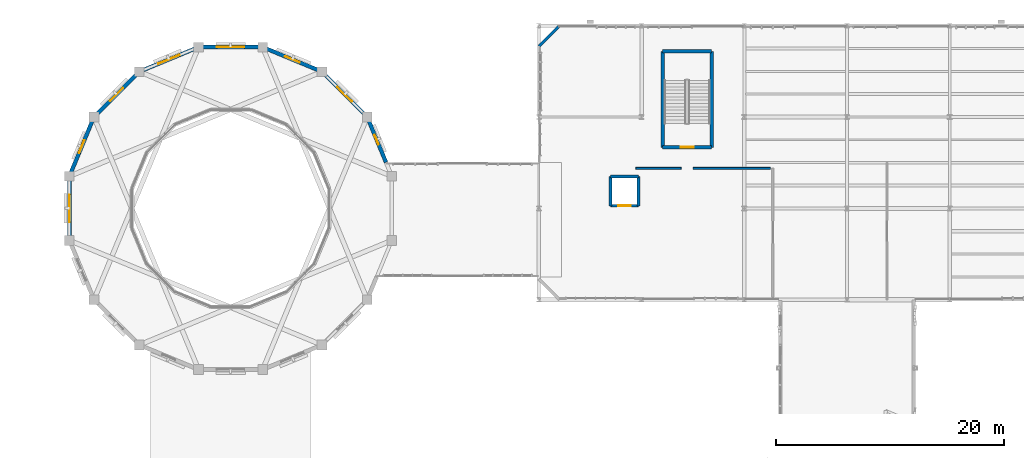
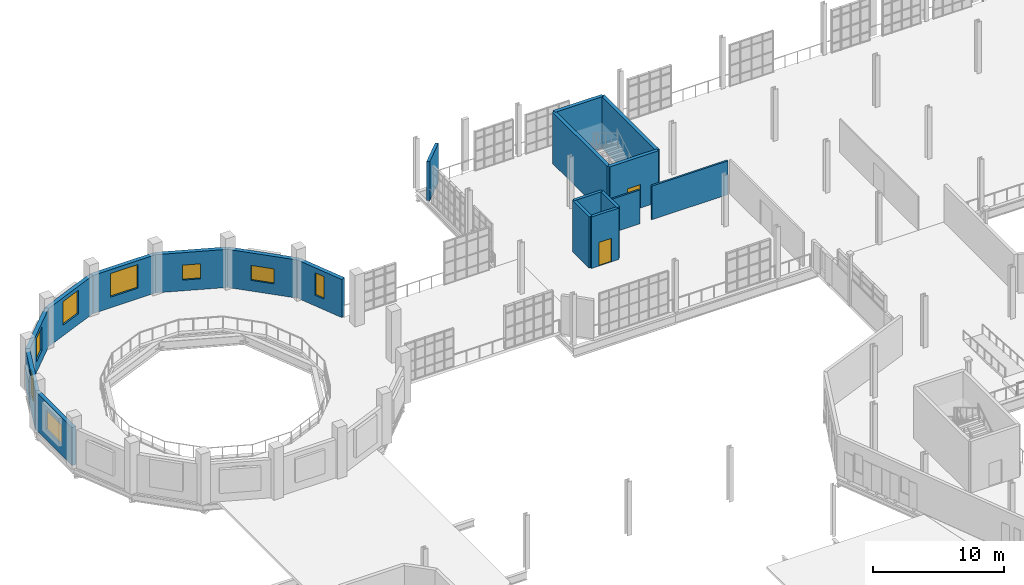
# One storey, part 102 of 122: 19 walls, 8 windows, 2 doors, 10 openings.
"""IFC4 building model written with IfcOpenShell, lengths in metres."""

from ifc_helpers import new_model, si_unit, direction, frame, frame_2d, origin, place, context, subcontext, project, spatial, rectangle, extrude, material, layer, layer_set, type_object, element, fill, save


model = new_model("IFC4")

# Units and contexts
model_context = context("Model", 3, precision=1e-05, world=origin(), true_north=direction((0.0, 1.0)))
body_context = subcontext(model_context, "Body", "Model", "MODEL_VIEW")
ifc_project = project(units=[si_unit("LENGTHUNIT", "METRE"), si_unit("AREAUNIT", "SQUARE_METRE"), si_unit("VOLUMEUNIT", "CUBIC_METRE"), si_unit("PLANEANGLEUNIT", "RADIAN"), si_unit("MASSUNIT", "GRAM", prefix="KILO"), si_unit("THERMODYNAMICTEMPERATUREUNIT", "KELVIN"), si_unit("POWERUNIT", "WATT")], contexts=[model_context])

# Site, building, storey
site_placement = place(None, origin())
site = spatial("IfcSite", under=ifc_project, at=site_placement, CompositionType="ELEMENT")
building_placement = place(site_placement, origin())
building = spatial("IfcBuilding", under=site, at=building_placement, Name="Zelmaris Science Centre", CompositionType="ELEMENT")
storey_placement = place(building_placement, frame((0.0, 0.0, 10.800048828125)))
storey = spatial("IfcBuildingStorey", under=building, at=storey_placement, Name="L02", CompositionType="ELEMENT", Elevation=10.800048828125)

# Wall, opening, door
ifc_material_1 = material(Name="Concrete C40/50", Category="concrete")
ifc_layer_1 = layer(ifc_material_1, 0.300048828125, Name="Concrete C40/50")
ifc_layer_set_1 = layer_set([ifc_layer_1], Name="Concrete C40/50")
wall_type_1 = type_object("IfcWallType", Name="Core Shear Wall CW-S1 300mm", PredefinedType="SOLIDWALL", material=ifc_layer_set_1)
wall_1_placement = place(storey_placement, frame((69.14990234375, 77.35009765625, 0.0), z_axis=(0.0, 0.0, 1.0), x_axis=(-1.0, 0.0, 0.0)))
wall_1 = element("IfcWall", 1, at=wall_1_placement, inside=storey, type_object=wall_type_1, Name="L02 ST-3 core shear wall near", PredefinedType="SOLIDWALL", context=body_context, shape_type="SweptSolid", body=[
    extrude(rectangle(XDim=4.2998046875, YDim=0.300048828125, at=frame_2d((2.14990234375, 0.0))), origin(), (0.0, 0.0, 1.0), 4.800048828125),
])
opening_1_placement = place(wall_1_placement, frame((1.574951171875, 0.0, 0.0)))
opening_1 = element("IfcOpeningElement", 2, at=opening_1_placement, cuts=wall_1, Name="Opening D-FD90", PredefinedType="OPENING", context=body_context, shape_type="SweptSolid", body=[
    extrude(rectangle(XDim=1.14990234375, YDim=2.199951171875, at=frame_2d((0.574951171875, 1.10009765625))), frame((0.0, 0.159912109375, 0.0), z_axis=(0.0, -1.0, 0.0), x_axis=(1.0, 0.0, 0.0)), (0.0, 0.0, 1.0), 0.320068359375),
])
ifc_material_2 = material(Name="Steel ASTM A36", Category="steel")
door_type_1 = type_object("IfcDoorType", Name="Interior Door D-FD90 1150x2200", OperationType="NOTDEFINED", PredefinedType="DOOR", material=ifc_material_2)
door_1_placement = place(opening_1_placement, origin())
door_1 = element("IfcDoor", 3, at=door_1_placement, inside=storey, type_object=door_type_1, Name="L02 ST-3 exit stair fire door", OperationType="SINGLE_SWING_RIGHT", OverallHeight=2.199951171875, OverallWidth=1.14990234375, PredefinedType="DOOR", context=body_context, shape_type="SweptSolid", body=[
    extrude(rectangle(XDim=1.14990234375, YDim=2.199951171875, at=frame_2d((0.574951171875, 1.10009765625))), frame((0.0, 0.02490234375, 0.0), z_axis=(0.0, -1.0, 0.0), x_axis=(1.0, 0.0, 0.0)), (0.0, 0.0, 1.0), 0.050048828125),
])
fill(opening_1, door_1)

# Walls
wall_2_placement = place(storey_placement, frame((69.14990234375, 77.35009765625, 0.0), z_axis=(0.0, 0.0, 1.0), x_axis=(0.0, 1.0, 0.0)))
element("IfcWall", 4, at=wall_2_placement, inside=storey, type_object=wall_type_1, Name="L02 ST-3 core shear wall east", PredefinedType="SOLIDWALL", context=body_context, shape_type="SweptSolid", body=[
    extrude(rectangle(XDim=8.39990234375, YDim=0.300048828125, at=frame_2d((4.199951171875, 0.0))), origin(), (0.0, 0.0, 1.0), 4.800048828125),
])
wall_3_placement = place(storey_placement, frame((69.14990234375, 85.75, 0.0), z_axis=(0.0, 0.0, 1.0), x_axis=(-1.0, 0.0, 0.0)))
element("IfcWall", 5, at=wall_3_placement, inside=storey, type_object=wall_type_1, Name="L02 ST-3 core shear wall far", PredefinedType="SOLIDWALL", context=body_context, shape_type="SweptSolid", body=[
    extrude(rectangle(XDim=4.2998046875, YDim=0.300048828125, at=frame_2d((2.14990234375, 0.0))), origin(), (0.0, 0.0, 1.0), 4.800048828125),
])
wall_4_placement = place(storey_placement, frame((64.85009765625, 77.35009765625, 0.0), z_axis=(0.0, 0.0, 1.0), x_axis=(0.0, 1.0, 0.0)))
element("IfcWall", 6, at=wall_4_placement, inside=storey, type_object=wall_type_1, Name="L02 ST-3 core shear wall west", PredefinedType="SOLIDWALL", context=body_context, shape_type="SweptSolid", body=[
    extrude(rectangle(XDim=8.39990234375, YDim=0.300048828125, at=frame_2d((4.199951171875, 0.0))), origin(), (0.0, 0.0, 1.0), 4.800048828125),
])

# Wall, opening, door
ifc_layer_2 = layer(ifc_material_1, 0.25, Name="Concrete C40/50")
ifc_layer_set_2 = layer_set([ifc_layer_2], Name="Concrete C40/50")
wall_type_2 = type_object("IfcWallType", Name="Core Shear Wall CW-S2 250mm", PredefinedType="SOLIDWALL", material=ifc_layer_set_2)
wall_5_placement = place(storey_placement, frame((60.27490234375, 72.22509765625, 0.0), z_axis=(0.0, 0.0, 1.0), x_axis=(1.0, 0.0, 0.0)))
wall_5 = element("IfcWall", 7, at=wall_5_placement, inside=storey, type_object=wall_type_2, Name="L02 LP-03 lift shaft wall -y", PredefinedType="SOLIDWALL", context=body_context, shape_type="SweptSolid", body=[
    extrude(rectangle(XDim=2.4501953125, YDim=0.25, at=frame_2d((1.22509765625, 0.0))), origin(), (0.0, 0.0, 1.0), 4.800048828125),
])
opening_2_placement = place(wall_5_placement, frame((0.675048828125, 0.0, 0.0)))
opening_2 = element("IfcOpeningElement", 8, at=opening_2_placement, cuts=wall_5, Name="Opening LD-01", PredefinedType="OPENING", context=body_context, shape_type="SweptSolid", body=[
    extrude(rectangle(XDim=1.10009765625, YDim=2.199951171875, at=frame_2d((0.550048828125, 1.10009765625))), frame((0.0, 0.135009765625, 0.0), z_axis=(0.0, -1.0, 0.0), x_axis=(1.0, 0.0, 0.0)), (0.0, 0.0, 1.0), 0.27001953125),
])
door_type_2 = type_object("IfcDoorType", Name="Interior Door LD-01 1100x2200", OperationType="SLIDING_TO_LEFT", PredefinedType="DOOR", material=ifc_material_2)
door_2_placement = place(opening_2_placement, origin())
door_2 = element("IfcDoor", 9, at=door_2_placement, inside=storey, type_object=door_type_2, Name="Landing door LD-LP-03-L02", OperationType="SLIDING_TO_LEFT", OverallHeight=2.199951171875, OverallWidth=1.10009765625, PredefinedType="DOOR", context=body_context, shape_type="SweptSolid", body=[
    extrude(rectangle(XDim=1.10009765625, YDim=2.199951171875, at=frame_2d((0.550048828125, 1.10009765625))), frame((0.0, 0.02490234375, 0.0), z_axis=(0.0, -1.0, 0.0), x_axis=(1.0, 0.0, 0.0)), (0.0, 0.0, 1.0), 0.050048828125),
])
fill(opening_2, door_2)

# Walls
wall_6_placement = place(storey_placement, frame((62.72509765625, 72.22509765625, 0.0), z_axis=(0.0, 0.0, 1.0), x_axis=(0.0, 1.0, 0.0)))
element("IfcWall", 10, at=wall_6_placement, inside=storey, type_object=wall_type_2, Name="L02 LP-03 lift shaft wall +x", PredefinedType="SOLIDWALL", context=body_context, shape_type="SweptSolid", body=[
    extrude(rectangle(XDim=2.5498046875, YDim=0.25, at=frame_2d((1.27490234375, 0.0))), origin(), (0.0, 0.0, 1.0), 4.800048828125),
])
wall_7_placement = place(storey_placement, frame((62.72509765625, 74.77490234375, 0.0), z_axis=(0.0, 0.0, 1.0), x_axis=(-1.0, 0.0, 0.0)))
element("IfcWall", 11, at=wall_7_placement, inside=storey, type_object=wall_type_2, Name="L02 LP-03 lift shaft wall +y", PredefinedType="SOLIDWALL", context=body_context, shape_type="SweptSolid", body=[
    extrude(rectangle(XDim=2.4501953125, YDim=0.25, at=frame_2d((1.22509765625, 0.0))), origin(), (0.0, 0.0, 1.0), 4.800048828125),
])
wall_8_placement = place(storey_placement, frame((60.27490234375, 74.77490234375, 0.0), z_axis=(0.0, 0.0, 1.0), x_axis=(0.0, -1.0, 0.0)))
element("IfcWall", 12, at=wall_8_placement, inside=storey, type_object=wall_type_2, Name="L02 LP-03 lift shaft wall -x", PredefinedType="SOLIDWALL", context=body_context, shape_type="SweptSolid", body=[
    extrude(rectangle(XDim=2.5498046875, YDim=0.25, at=frame_2d((1.27490234375, 0.0))), origin(), (0.0, 0.0, 1.0), 4.800048828125),
])

# Wall, opening, window
ifc_material_3 = material(Name="Yucatan limestone ashlar masonry", Category="masonry")
ifc_layer_3 = layer(ifc_material_3, 0.340087890625, Name="Yucatan limestone ashlar masonry")
ifc_layer_set_3 = layer_set([ifc_layer_3], Name="Yucatan limestone ashlar masonry")
wall_type_3 = type_object("IfcWallType", Name="Exterior Wall EW-02 340mm", PredefinedType="SOLIDWALL", material=ifc_layer_set_3)
wall_9_placement = place(storey_placement, frame((12.876708984375, 69.190673828125, 0.0), z_axis=(0.0, 0.0, 1.0), x_axis=(0.0, 1.0, 0.0)))
wall_9 = element("IfcWall", 13, at=wall_9_placement, inside=storey, type_object=wall_type_3, Name="L02 Exterior wall 76", PredefinedType="SOLIDWALL", context=body_context, shape_type="SweptSolid", body=[
    extrude(rectangle(XDim=5.61865234375, YDim=0.340087890625, at=frame_2d((2.809326171875, 0.0))), origin(), (0.0, 0.0, 1.0), 3.56494140625),
])
opening_3_placement = place(wall_9_placement, frame((1.609375, 0.0, 1.0)))
opening_3 = element("IfcOpeningElement", 14, at=opening_3_placement, cuts=wall_9, Name="Opening W-05", PredefinedType="OPENING", context=body_context, shape_type="SweptSolid", body=[
    extrude(rectangle(XDim=2.39990234375, YDim=1.800048828125, at=frame_2d((1.199951171875, 0.89990234375))), frame((0.0, 0.179931640625, 0.0), z_axis=(0.0, -1.0, 0.0), x_axis=(1.0, 0.0, 0.0)), (0.0, 0.0, 1.0), 0.360107421875),
])
ifc_material_4 = material(Name="Laminated hurricane-rated low-E insulated glazing", Category="glass")
window_type_1 = type_object("IfcWindowType", Name="Window W-05 2400x1800", PartitioningType="SINGLE_PANEL", PredefinedType="WINDOW", material=ifc_material_4)
window_1_placement = place(opening_3_placement, origin())
window_1 = element("IfcWindow", 15, at=window_1_placement, inside=storey, type_object=window_type_1, Name="L02 Facade window 29", OverallHeight=1.800048828125, OverallWidth=2.39990234375, PartitioningType="SINGLE_PANEL", PredefinedType="WINDOW", context=body_context, shape_type="SweptSolid", body=[
    extrude(rectangle(XDim=2.39990234375, YDim=1.800048828125, at=frame_2d((1.199951171875, 0.89990234375))), frame((0.0, 0.030029296875, 0.0), z_axis=(0.0, -1.0, 0.0), x_axis=(1.0, 0.0, 0.0)), (0.0, 0.0, 1.0), 0.06005859375),
])
fill(opening_3, window_1)

wall_10_placement = place(storey_placement, frame((12.876708984375, 74.809326171875, 0.0), z_axis=(0.0, 0.0, 1.0), x_axis=(0.38268310735, 0.923879667137, 0.0)))
wall_10 = element("IfcWall", 16, at=wall_10_placement, inside=storey, type_object=wall_type_3, Name="L02 Exterior wall 77", PredefinedType="SOLIDWALL", context=body_context, shape_type="SweptSolid", body=[
    extrude(rectangle(XDim=5.61865234375, YDim=0.340087890625, at=frame_2d((2.809326171875, 0.0))), origin(), (0.0, 0.0, 1.0), 3.56494140625),
])
opening_4_placement = place(wall_10_placement, frame((2.209228515625, 0.0, 1.0)))
opening_4 = element("IfcOpeningElement", 17, at=opening_4_placement, cuts=wall_10, Name="Opening W-06", PredefinedType="OPENING", context=body_context, shape_type="SweptSolid", body=[
    extrude(rectangle(XDim=1.199951171875, YDim=2.199951171875, at=frame_2d((0.60009765625, 1.10009765625))), frame((0.0, 0.179931640625, 0.0), z_axis=(0.0, -1.0, 0.0), x_axis=(1.0, 0.0, 0.0)), (0.0, 0.0, 1.0), 0.360107421875),
])
window_type_2 = type_object("IfcWindowType", Name="Window W-06 1200x2200", PartitioningType="SINGLE_PANEL", PredefinedType="WINDOW", material=ifc_material_4)
window_2_placement = place(opening_4_placement, origin())
window_2 = element("IfcWindow", 18, at=window_2_placement, inside=storey, type_object=window_type_2, Name="L02 Facade window 30", OverallHeight=2.199951171875, OverallWidth=1.199951171875, PartitioningType="SINGLE_PANEL", PredefinedType="WINDOW", context=body_context, shape_type="SweptSolid", body=[
    extrude(rectangle(XDim=1.199951171875, YDim=2.199951171875, at=frame_2d((0.60009765625, 1.10009765625))), frame((0.0, 0.030029296875, 0.0), z_axis=(0.0, -1.0, 0.0), x_axis=(1.0, 0.0, 0.0)), (0.0, 0.0, 1.0), 0.06005859375),
])
fill(opening_4, window_2)

wall_11_placement = place(storey_placement, frame((15.02685546875, 80.000244140625, 0.0), z_axis=(0.0, 0.0, 1.0), x_axis=(0.707106781187, 0.707106781187, 0.0)))
wall_11 = element("IfcWall", 19, at=wall_11_placement, inside=storey, type_object=wall_type_3, Name="L02 Exterior wall 78", PredefinedType="SOLIDWALL", context=body_context, shape_type="SweptSolid", body=[
    extrude(rectangle(XDim=5.618408203125, YDim=0.340087890625, at=frame_2d((2.80908203125, 0.0))), origin(), (0.0, 0.0, 1.0), 3.56494140625),
])
opening_5_placement = place(wall_11_placement, frame((2.00927734375, 0.0, 1.0)))
opening_5 = element("IfcOpeningElement", 20, at=opening_5_placement, cuts=wall_11, Name="Opening W-07", PredefinedType="OPENING", context=body_context, shape_type="SweptSolid", body=[
    extrude(rectangle(XDim=1.60009765625, YDim=2.199951171875, at=frame_2d((0.800048828125, 1.10009765625))), frame((0.0, 0.179931640625, 0.0), z_axis=(0.0, -1.0, 0.0), x_axis=(1.0, 0.0, 0.0)), (0.0, 0.0, 1.0), 0.360107421875),
])
window_type_3 = type_object("IfcWindowType", Name="Window W-07 1600x2200", PartitioningType="SINGLE_PANEL", PredefinedType="WINDOW", material=ifc_material_4)
window_3_placement = place(opening_5_placement, origin())
window_3 = element("IfcWindow", 21, at=window_3_placement, inside=storey, type_object=window_type_3, Name="L02 Facade window 31", OverallHeight=2.199951171875, OverallWidth=1.60009765625, PartitioningType="SINGLE_PANEL", PredefinedType="WINDOW", context=body_context, shape_type="SweptSolid", body=[
    extrude(rectangle(XDim=1.60009765625, YDim=2.199951171875, at=frame_2d((0.800048828125, 1.10009765625))), frame((0.0, 0.030029296875, 0.0), z_axis=(0.0, -1.0, 0.0), x_axis=(1.0, 0.0, 0.0)), (0.0, 0.0, 1.0), 0.06005859375),
])
fill(opening_5, window_3)

wall_12_placement = place(storey_placement, frame((18.999755859375, 83.97314453125, 0.0), z_axis=(0.0, 0.0, 1.0), x_axis=(0.923879667137, 0.38268310735, 0.0)))
wall_12 = element("IfcWall", 22, at=wall_12_placement, inside=storey, type_object=wall_type_3, Name="L02 Exterior wall 79", PredefinedType="SOLIDWALL", context=body_context, shape_type="SweptSolid", body=[
    extrude(rectangle(XDim=5.61865234375, YDim=0.340087890625, at=frame_2d((2.809326171875, 0.0))), origin(), (0.0, 0.0, 1.0), 3.56494140625),
])
opening_6_placement = place(wall_12_placement, frame((1.809326171875, 0.0, 1.0)))
opening_6 = element("IfcOpeningElement", 23, at=opening_6_placement, cuts=wall_12, Name="Opening W-08", PredefinedType="OPENING", context=body_context, shape_type="SweptSolid", body=[
    extrude(rectangle(XDim=2.0, YDim=2.199951171875, at=frame_2d((1.0, 1.10009765625))), frame((0.0, 0.179931640625, 0.0), z_axis=(0.0, -1.0, 0.0), x_axis=(1.0, 0.0, 0.0)), (0.0, 0.0, 1.0), 0.360107421875),
])
window_type_4 = type_object("IfcWindowType", Name="Window W-08 2000x2200", PartitioningType="SINGLE_PANEL", PredefinedType="WINDOW", material=ifc_material_4)
window_4_placement = place(opening_6_placement, origin())
window_4 = element("IfcWindow", 24, at=window_4_placement, inside=storey, type_object=window_type_4, Name="L02 Facade window 32", OverallHeight=2.199951171875, OverallWidth=2.0, PartitioningType="SINGLE_PANEL", PredefinedType="WINDOW", context=body_context, shape_type="SweptSolid", body=[
    extrude(rectangle(XDim=2.0, YDim=2.199951171875, at=frame_2d((1.0, 1.10009765625))), frame((0.0, 0.030029296875, 0.0), z_axis=(0.0, -1.0, 0.0), x_axis=(1.0, 0.0, 0.0)), (0.0, 0.0, 1.0), 0.06005859375),
])
fill(opening_6, window_4)

wall_13_placement = place(storey_placement, frame((24.190673828125, 86.123291015625, 0.0), z_axis=(0.0, 0.0, 1.0), x_axis=(1.0, 0.0, 0.0)))
wall_13 = element("IfcWall", 25, at=wall_13_placement, inside=storey, type_object=wall_type_3, Name="L02 Exterior wall 80", PredefinedType="SOLIDWALL", context=body_context, shape_type="SweptSolid", body=[
    extrude(rectangle(XDim=5.61865234375, YDim=0.340087890625, at=frame_2d((2.809326171875, 0.0))), origin(), (0.0, 0.0, 1.0), 3.56494140625),
])
opening_7_placement = place(wall_13_placement, frame((1.609375, 0.0, 1.0)))
opening_7 = element("IfcOpeningElement", 26, at=opening_7_placement, cuts=wall_13, Name="Opening W-09", PredefinedType="OPENING", context=body_context, shape_type="SweptSolid", body=[
    extrude(rectangle(XDim=2.39990234375, YDim=2.199951171875, at=frame_2d((1.199951171875, 1.10009765625))), frame((0.0, 0.179931640625, 0.0), z_axis=(0.0, -1.0, 0.0), x_axis=(1.0, 0.0, 0.0)), (0.0, 0.0, 1.0), 0.360107421875),
])
window_type_5 = type_object("IfcWindowType", Name="Window W-09 2400x2200", PartitioningType="SINGLE_PANEL", PredefinedType="WINDOW", material=ifc_material_4)
window_5_placement = place(opening_7_placement, origin())
window_5 = element("IfcWindow", 27, at=window_5_placement, inside=storey, type_object=window_type_5, Name="L02 Facade window 33", OverallHeight=2.199951171875, OverallWidth=2.39990234375, PartitioningType="SINGLE_PANEL", PredefinedType="WINDOW", context=body_context, shape_type="SweptSolid", body=[
    extrude(rectangle(XDim=2.39990234375, YDim=2.199951171875, at=frame_2d((1.199951171875, 1.10009765625))), frame((0.0, 0.030029296875, 0.0), z_axis=(0.0, -1.0, 0.0), x_axis=(1.0, 0.0, 0.0)), (0.0, 0.0, 1.0), 0.06005859375),
])
fill(opening_7, window_5)

wall_14_placement = place(storey_placement, frame((29.809326171875, 86.123291015625, 0.0), z_axis=(0.0, 0.0, 1.0), x_axis=(0.923879667137, -0.38268310735, 0.0)))
wall_14 = element("IfcWall", 28, at=wall_14_placement, inside=storey, type_object=wall_type_3, Name="L02 Exterior wall 81", PredefinedType="SOLIDWALL", context=body_context, shape_type="SweptSolid", body=[
    extrude(rectangle(XDim=5.61865234375, YDim=0.340087890625, at=frame_2d((2.809326171875, 0.0))), origin(), (0.0, 0.0, 1.0), 3.56494140625),
])
opening_8_placement = place(wall_14_placement, frame((2.109375, 0.0, 1.0)))
opening_8 = element("IfcOpeningElement", 29, at=opening_8_placement, cuts=wall_14, Name="Opening W-10", PredefinedType="OPENING", context=body_context, shape_type="SweptSolid", body=[
    extrude(rectangle(XDim=1.39990234375, YDim=1.39990234375, at=frame_2d((0.699951171875, 0.699951171875))), frame((0.0, 0.179931640625, 0.0), z_axis=(0.0, -1.0, 0.0), x_axis=(1.0, 0.0, 0.0)), (0.0, 0.0, 1.0), 0.360107421875),
])
window_type_6 = type_object("IfcWindowType", Name="Window W-10 1400x1400", PartitioningType="SINGLE_PANEL", PredefinedType="WINDOW", material=ifc_material_4)
window_6_placement = place(opening_8_placement, origin())
window_6 = element("IfcWindow", 30, at=window_6_placement, inside=storey, type_object=window_type_6, Name="L02 Facade window 34", OverallHeight=1.39990234375, OverallWidth=1.39990234375, PartitioningType="SINGLE_PANEL", PredefinedType="WINDOW", context=body_context, shape_type="SweptSolid", body=[
    extrude(rectangle(XDim=1.39990234375, YDim=1.39990234375, at=frame_2d((0.699951171875, 0.699951171875))), frame((0.0, 0.030029296875, 0.0), z_axis=(0.0, -1.0, 0.0), x_axis=(1.0, 0.0, 0.0)), (0.0, 0.0, 1.0), 0.06005859375),
])
fill(opening_8, window_6)

wall_15_placement = place(storey_placement, frame((35.000244140625, 83.97314453125, 0.0), z_axis=(0.0, 0.0, 1.0), x_axis=(0.707106781187, -0.707106781187, 0.0)))
wall_15 = element("IfcWall", 31, at=wall_15_placement, inside=storey, type_object=wall_type_3, Name="L02 Exterior wall 82", PredefinedType="SOLIDWALL", context=body_context, shape_type="SweptSolid", body=[
    extrude(rectangle(XDim=5.618408203125, YDim=0.340087890625, at=frame_2d((2.80908203125, 0.0))), origin(), (0.0, 0.0, 1.0), 3.56494140625),
])
opening_9_placement = place(wall_15_placement, frame((1.9091796875, 0.0, 1.0)))
opening_9 = element("IfcOpeningElement", 32, at=opening_9_placement, cuts=wall_15, Name="Opening W-11", PredefinedType="OPENING", context=body_context, shape_type="SweptSolid", body=[
    extrude(rectangle(XDim=1.800048828125, YDim=1.39990234375, at=frame_2d((0.89990234375, 0.699951171875))), frame((0.0, 0.179931640625, 0.0), z_axis=(0.0, -1.0, 0.0), x_axis=(1.0, 0.0, 0.0)), (0.0, 0.0, 1.0), 0.360107421875),
])
window_type_7 = type_object("IfcWindowType", Name="Window W-11 1800x1400", PartitioningType="SINGLE_PANEL", PredefinedType="WINDOW", material=ifc_material_4)
window_7_placement = place(opening_9_placement, origin())
window_7 = element("IfcWindow", 33, at=window_7_placement, inside=storey, type_object=window_type_7, Name="L02 Facade window 35", OverallHeight=1.39990234375, OverallWidth=1.800048828125, PartitioningType="SINGLE_PANEL", PredefinedType="WINDOW", context=body_context, shape_type="SweptSolid", body=[
    extrude(rectangle(XDim=1.800048828125, YDim=1.39990234375, at=frame_2d((0.89990234375, 0.699951171875))), frame((0.0, 0.030029296875, 0.0), z_axis=(0.0, -1.0, 0.0), x_axis=(1.0, 0.0, 0.0)), (0.0, 0.0, 1.0), 0.06005859375),
])
fill(opening_9, window_7)

wall_16_placement = place(storey_placement, frame((38.97314453125, 80.000244140625, 0.0), z_axis=(0.0, 0.0, 1.0), x_axis=(0.382686893212, -0.923878098974, 0.0)))
wall_16 = element("IfcWall", 34, at=wall_16_placement, inside=storey, type_object=wall_type_3, Name="L02 Exterior wall 83", PredefinedType="SOLIDWALL", context=body_context, shape_type="SweptSolid", body=[
    extrude(rectangle(XDim=4.28955078125, YDim=0.340087890625, at=frame_2d((2.144775390625, 0.0))), origin(), (0.0, 0.0, 1.0), 3.56494140625),
])
opening_10_placement = place(wall_16_placement, frame((1.69482421875, 0.0, 1.0)))
opening_10 = element("IfcOpeningElement", 35, at=opening_10_placement, cuts=wall_16, Name="Opening W-12", PredefinedType="OPENING", context=body_context, shape_type="SweptSolid", body=[
    extrude(rectangle(XDim=0.89990234375, YDim=2.10009765625, at=frame_2d((0.449951171875, 1.050048828125))), frame((0.0, 0.179931640625, 0.0), z_axis=(0.0, -1.0, 0.0), x_axis=(1.0, 0.0, 0.0)), (0.0, 0.0, 1.0), 0.360107421875),
])
window_type_8 = type_object("IfcWindowType", Name="Window W-12 900x2100", PartitioningType="SINGLE_PANEL", PredefinedType="WINDOW", material=ifc_material_4)
window_8_placement = place(opening_10_placement, origin())
window_8 = element("IfcWindow", 36, at=window_8_placement, inside=storey, type_object=window_type_8, Name="L02 Facade window 36", OverallHeight=2.10009765625, OverallWidth=0.89990234375, PartitioningType="SINGLE_PANEL", PredefinedType="WINDOW", context=body_context, shape_type="SweptSolid", body=[
    extrude(rectangle(XDim=0.89990234375, YDim=2.10009765625, at=frame_2d((0.449951171875, 1.050048828125))), frame((0.0, 0.030029296875, 0.0), z_axis=(0.0, -1.0, 0.0), x_axis=(1.0, 0.0, 0.0)), (0.0, 0.0, 1.0), 0.06005859375),
])
fill(opening_10, window_8)

# Walls
ifc_material_5 = material(Name="Precast concrete C40/50", Category="concrete")
ifc_layer_4 = layer(ifc_material_5, 0.25, Name="Precast concrete C40/50")
ifc_layer_set_4 = layer_set([ifc_layer_4], Name="Precast concrete C40/50")
wall_type_4 = type_object("IfcWallType", Name="Exterior Wall EW-11 250mm", PredefinedType="SOLIDWALL", material=ifc_layer_set_4)
wall_17_placement = place(storey_placement, frame((54.0, 86.199951171875, 0.0), z_axis=(0.0, 0.0, 1.0), x_axis=(0.707106781187, 0.707106781187, 0.0)))
element("IfcWall", 37, at=wall_17_placement, inside=storey, type_object=wall_type_4, Name="L02 Exterior wall 84", PredefinedType="SOLIDWALL", context=body_context, shape_type="SweptSolid", body=[
    extrude(rectangle(XDim=2.545654296875, YDim=0.25, at=frame_2d((1.27294921875, 0.0))), origin(), (0.0, 0.0, 1.0), 3.654052734375),
])
ifc_material_6 = material(Name="Fire-rated gypsum board on steel studs", Category="steel")
ifc_layer_5 = layer(ifc_material_6, 0.159912109375, Name="Fire-rated gypsum board on steel studs")
ifc_layer_set_5 = layer_set([ifc_layer_5], Name="Fire-rated gypsum board on steel studs")
wall_type_5 = type_object("IfcWallType", Name="Interior Wall PT-08 160mm", PredefinedType="PARTITIONING", material=ifc_layer_set_5)
wall_18_placement = place(storey_placement, frame((62.5048828125, 75.5, 0.0), z_axis=(0.0, 0.0, 1.0), x_axis=(1.0, 0.0, 0.0)))
element("IfcWall", 38, at=wall_18_placement, inside=storey, type_object=wall_type_5, Name="L02 Upper Science Reference Library partition 54", PredefinedType="PARTITIONING", context=body_context, shape_type="SweptSolid", body=[
    extrude(rectangle(XDim=3.9677734375, YDim=0.159912109375, at=frame_2d((1.98388671875, 0.0))), origin(), (0.0, 0.0, 1.0), 3.14990234375),
])
wall_19_placement = place(storey_placement, frame((67.52734375, 75.5, 0.0), z_axis=(0.0, 0.0, 1.0), x_axis=(1.0, 0.0, 0.0)))
element("IfcWall", 39, at=wall_19_placement, inside=storey, type_object=wall_type_5, Name="L02 Upper Science Reference Library partition 55", PredefinedType="PARTITIONING", context=body_context, shape_type="SweptSolid", body=[
    extrude(rectangle(XDim=6.752685546875, YDim=0.159912109375, at=frame_2d((3.37646484375, 0.0))), origin(), (0.0, 0.0, 1.0), 3.14990234375),
])

save(model, "model.ifc")
